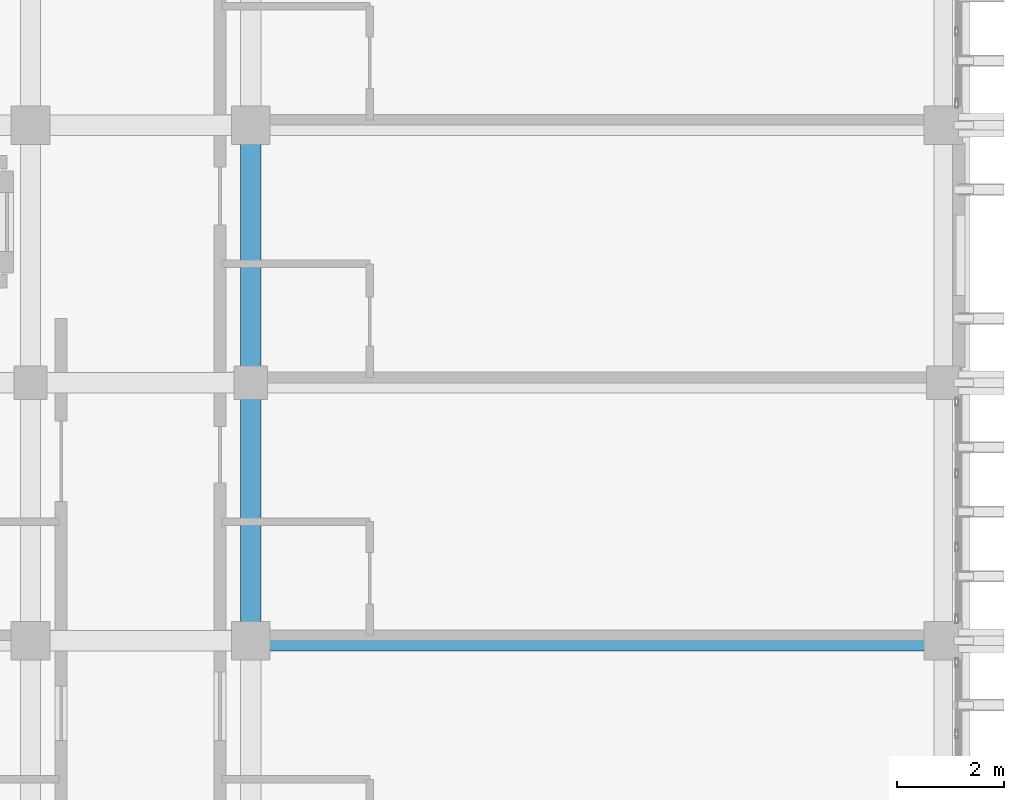
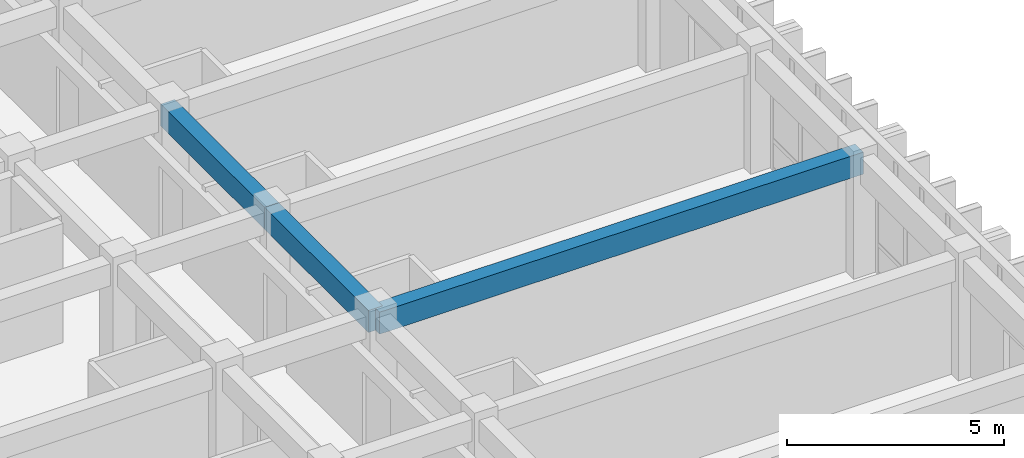
# One storey, part 15 of 59: 3 beams.
"""IFC4 building model written with IfcOpenShell, lengths in metres."""

import ifcopenshell
import ifcopenshell.guid

model = None  # the IFC model being written
_history = None  # IfcOwnerHistory: only IFC2X3 demands one
_inside = {}  # id of a spatial element -> (the spatial element, [elements in it])
_under = {}  # id of a project, library or spatial element -> (it, [spatial elements below it])
_declared = {}  # id of a project -> (the project, [libraries it declares])
_typed = {}  # id of a type object -> (the type object, [elements of that type])
_made_of = {}  # id of a material, layer set ... -> (it, [elements and type objects made of it])


def new_model(schema):
    """Start an empty IFC model of exactly this schema.

    Asked for "IFC4X3", IfcOpenShell would pick the latest addendum, in which some entities
    have other attributes; the version numbers below select the first issue.
    IFC2X3 requires an IfcOwnerHistory on every rooted entity: one is made here for all.
    """
    global model, _history
    if schema == "IFC4X3":
        model = ifcopenshell.file(schema_version=(4, 3, 0, 0))
    else:
        model = ifcopenshell.file(schema=schema)
    _inside.clear()
    _under.clear()
    _declared.clear()
    _typed.clear()
    _made_of.clear()
    _history = None
    if model.schema == "IFC2X3":
        org = make("IfcOrganization", Name="unknown")
        user = make(
            "IfcPersonAndOrganization",
            ThePerson=make("IfcPerson", FamilyName="unknown"),
            TheOrganization=org,
        )
        app = make(
            "IfcApplication",
            ApplicationDeveloper=org,
            Version="unknown",
            ApplicationFullName="unknown",
            ApplicationIdentifier="unknown",
        )
        _history = make(
            "IfcOwnerHistory",
            OwningUser=user,
            OwningApplication=app,
            ChangeAction="ADDED",
            CreationDate=0,
        )
    return model


def make(cls, **values):
    """One entity of the class cls with the attributes given. An attribute that is None is left unset."""
    return model.create_entity(
        cls, **{name: value for name, value in values.items() if value is not None}
    )


def rooted(cls, **values):
    """An entity with a GlobalId (a new one), such as an element, a storey or a relation."""
    return make(cls, GlobalId=ifcopenshell.guid.new(), OwnerHistory=_history, **values)


def si_unit(unit_type, name, prefix=None):
    """IfcSIUnit, for example si_unit("LENGTHUNIT", "METRE", prefix="MILLI")."""
    return make("IfcSIUnit", UnitType=unit_type, Prefix=prefix, Name=name)


def assignment(units):
    """IfcUnitAssignment: the units of a project."""
    return None if units is None else make("IfcUnitAssignment", Units=units)


def point(xyz):
    """IfcCartesianPoint."""
    return None if xyz is None else make("IfcCartesianPoint", Coordinates=xyz)


def direction(xyz):
    """IfcDirection."""
    return None if xyz is None else make("IfcDirection", DirectionRatios=xyz)


def frame(location, z_axis=None, x_axis=None):
    """IfcAxis2Placement3D, a coordinate frame: its origin and axes. An axis left out is left unset."""
    return make(
        "IfcAxis2Placement3D",
        Location=point(location),
        Axis=direction(z_axis),
        RefDirection=direction(x_axis),
    )


def frame_2d(location, x_axis=None):
    """IfcAxis2Placement2D, a coordinate frame in the plane: its origin and x axis."""
    return make(
        "IfcAxis2Placement2D", Location=point(location), RefDirection=direction(x_axis)
    )


def origin():
    """The frame at (0, 0, 0) with its axes left unset."""
    return frame((0.0, 0.0, 0.0))


def origin_2d():
    """The frame at (0, 0) in the plane with its x axis left unset."""
    return frame_2d((0.0, 0.0))


def place(relative_to, where):
    """IfcLocalPlacement: puts the frame where relative to a parent placement (None: the world)."""
    return make(
        "IfcLocalPlacement", PlacementRelTo=relative_to, RelativePlacement=where
    )


def context(
    kind, dimensions, precision=None, world=None, true_north=None, identifier=None
):
    """IfcGeometricRepresentationContext, for example the 3D "Model" context."""
    return make(
        "IfcGeometricRepresentationContext",
        ContextIdentifier=identifier,
        ContextType=kind,
        CoordinateSpaceDimension=dimensions,
        Precision=precision,
        WorldCoordinateSystem=world,
        TrueNorth=true_north,
    )


def subcontext(parent, identifier, kind, view, scale=None):
    """IfcGeometricRepresentationSubContext, for example "Body" below "Model"."""
    return make(
        "IfcGeometricRepresentationSubContext",
        ContextIdentifier=identifier,
        ContextType=kind,
        ParentContext=parent,
        TargetScale=scale,
        TargetView=view,
    )


def project(units=None, contexts=None):
    """IfcProject with its units and contexts."""
    return rooted(
        "IfcProject",
        Name="project",
        RepresentationContexts=contexts,
        UnitsInContext=assignment(units),
    )


def spatial(cls, under=None, at=None, **own):
    """A site, building, storey or space (cls), placed at a placement, below another one or the project."""
    s = rooted(cls, ObjectPlacement=at, **own)
    if under is not None:
        _under.setdefault(under.id(), (under, []))[1].append(s)
    return s


def profile(cls, at=None, kind="AREA", **sizes):
    """A parametric profile (cls). Its sizes go by their IFC names, for example OverallWidth=200.0."""
    return make(cls, ProfileType=kind, Position=at, **sizes)


def rectangle(**sizes):
    """IfcRectangleProfileDef."""
    return profile("IfcRectangleProfileDef", **sizes)


def extrude(swept, where, along, depth):
    """IfcExtrudedAreaSolid: the profile swept, set in the frame where, extruded along a direction by depth."""
    return make(
        "IfcExtrudedAreaSolid",
        SweptArea=swept,
        Position=where,
        ExtrudedDirection=direction(along),
        Depth=depth,
    )


def shape(context_of_items, identifier, shape_type, items):
    """IfcShapeRepresentation: the items that make up one representation, for example the "Body"."""
    return make(
        "IfcShapeRepresentation",
        ContextOfItems=context_of_items,
        RepresentationIdentifier=identifier,
        RepresentationType=shape_type,
        Items=items,
    )


def material(Name=None, Category=None):
    """IfcMaterial."""
    return make("IfcMaterial", Name=Name, Category=Category)


def material_profile(
    of_material, cross_section, Name=None, Category=None, Priority=None
):
    """IfcMaterialProfile: a cross section and its material."""
    return make(
        "IfcMaterialProfile",
        Name=Name,
        Material=of_material,
        Profile=cross_section,
        Priority=Priority,
        Category=Category,
    )


def profile_set(profiles, Name=None, composite=None):
    """IfcMaterialProfileSet."""
    return make(
        "IfcMaterialProfileSet",
        Name=Name,
        MaterialProfiles=profiles,
        CompositeProfile=composite,
    )


def made_of(thing, what):
    """Note that an element or type object is made of a material, layer set ...; save() writes the relation."""
    if what is not None:
        _made_of.setdefault(what.id(), (what, []))[1].append(thing)
    return thing


def type_object(cls, material=None, **own):
    """A type object (cls), such as IfcWallType, which elements share."""
    return made_of(rooted(cls, **own), material)


def element(
    cls,
    number,
    at=None,
    inside=None,
    cuts=None,
    type_object=None,
    material=None,
    context=None,
    identifier="Body",
    shape_type=None,
    held_by="IfcProductDefinitionShape",
    body=None,
    shapes=None,
    **own,
):
    """One element of the class cls, such as IfcWall. Its Tag is "e" and its number.

    at: its placement. inside: the storey or other place that contains it. cuts: it is an
    opening in that element (IfcRelVoidsElement). A single representation is given by context,
    identifier, shape_type and body (its items); several are given by shapes. held_by: the class
    of the entity that holds the representations. save() writes the other relations.
    """
    e = rooted(cls, Tag="e%d" % number, ObjectPlacement=at, **own)
    if body is not None:
        shapes = [shape(context, identifier, shape_type, body)]
    if shapes is not None:
        e.Representation = make(held_by, Representations=shapes)
    if inside is not None:
        _inside.setdefault(inside.id(), (inside, []))[1].append(e)
    if cuts is not None:
        rooted(
            "IfcRelVoidsElement", RelatingBuildingElement=cuts, RelatedOpeningElement=e
        )
    if type_object is not None:
        _typed.setdefault(type_object.id(), (type_object, []))[1].append(e)
    return made_of(e, material)


def aggregate(whole, parts):
    """IfcRelAggregates: a whole, such as a stair, and the parts it consists of."""
    return rooted("IfcRelAggregates", RelatingObject=whole, RelatedObjects=parts)


def save(model, path):
    """Write the relations noted so far, then the file.

    IfcRelAggregates (storeys below a building ...), IfcRelContainedInSpatialStructure (elements
    in a storey), IfcRelDefinesByType, IfcRelAssociatesMaterial and IfcRelDeclares: one each for
    every whole, place, type object, material and project.
    """
    for whole, parts in _under.values():
        aggregate(whole, parts)
    for where, things in _inside.values():
        rooted(
            "IfcRelContainedInSpatialStructure",
            RelatedElements=things,
            RelatingStructure=where,
        )
    for kind, things in _typed.values():
        rooted("IfcRelDefinesByType", RelatedObjects=things, RelatingType=kind)
    for what, things in _made_of.values():
        rooted("IfcRelAssociatesMaterial", RelatedObjects=things, RelatingMaterial=what)
    for by, libraries in _declared.values():
        rooted("IfcRelDeclares", RelatingContext=by, RelatedDefinitions=libraries)
    model.write(path)


model = new_model("IFC4")

# Units and contexts
model_context = context("Model", 3, precision=1e-05, world=origin(), true_north=direction((0.0, 1.0)))
body_context = subcontext(model_context, "Body", "Model", "MODEL_VIEW")
ifc_project = project(units=[si_unit("LENGTHUNIT", "METRE"), si_unit("AREAUNIT", "SQUARE_METRE"), si_unit("VOLUMEUNIT", "CUBIC_METRE"), si_unit("PLANEANGLEUNIT", "RADIAN"), si_unit("MASSUNIT", "GRAM", prefix="KILO")], contexts=[model_context])

# Site, building, storey
site_placement = place(None, origin())
site = spatial("IfcSite", under=ifc_project, at=site_placement, CompositionType="ELEMENT")
building_placement = place(site_placement, origin())
building = spatial("IfcBuilding", under=site, at=building_placement, Name="Nakhvara Creek Congress Hotel", CompositionType="ELEMENT")
storey_placement = place(building_placement, frame((0.0, 0.0, 31.800048828125)))
storey = spatial("IfcBuildingStorey", under=building, at=storey_placement, Name="L07", CompositionType="ELEMENT", Elevation=31.800048828125)

# Beams
ifc_material = material(Name="Concrete C40/50", Category="concrete")
ifc_material_profile = material_profile(ifc_material, rectangle(XDim=0.3798828125, YDim=0.6201171875, at=origin_2d()), Name="RC-BM 380x620", Category="LoadBearing")
ifc_profile_set = profile_set([ifc_material_profile], Name="Concrete C40/50")
beam_type = type_object("IfcBeamType", Name="BM-RC-380X620", PredefinedType="BEAM", material=ifc_profile_set)
beam_placement = place(storey_placement, frame((166.449951171875, 67.199951171875, 3.050048828125), z_axis=(1.0, 0.0, 0.0), x_axis=(0.0, 1.0, 0.0)))
element("IfcBeam", 1, at=beam_placement, inside=storey, type_object=beam_type, Name="Beam B10-L07-2371", PredefinedType="BEAM", context=body_context, shape_type="SweptSolid", body=[
    extrude(rectangle(XDim=0.3798828125, YDim=0.6201171875, at=origin_2d()), origin(), (0.0, 0.0, 1.0), 12.900146484375),
])
for number, where, z_axis, x_axis, name in (
    (2, (166.449951171875, 67.199951171875, 3.050048828125), (0.0, 1.0, 0.0), (-1.0, 0.0, 0.0), "Beam B10-L07-2373"),
    (3, (166.449951171875, 72.0, 3.050048828125), (0.0, 1.0, 0.0), (-1.0, 0.0, 0.0), "Beam B10-L07-2375"),
):
    element("IfcBeam", number, at=place(storey_placement, frame(where, z_axis=z_axis, x_axis=x_axis)), inside=storey, type_object=beam_type, Name=name, PredefinedType="BEAM", context=body_context, shape_type="SweptSolid", body=[
        extrude(rectangle(XDim=0.3798828125, YDim=0.6201171875, at=origin_2d()), origin(), (0.0, 0.0, 1.0), 4.800048828125),
    ])

save(model, "model.ifc")
